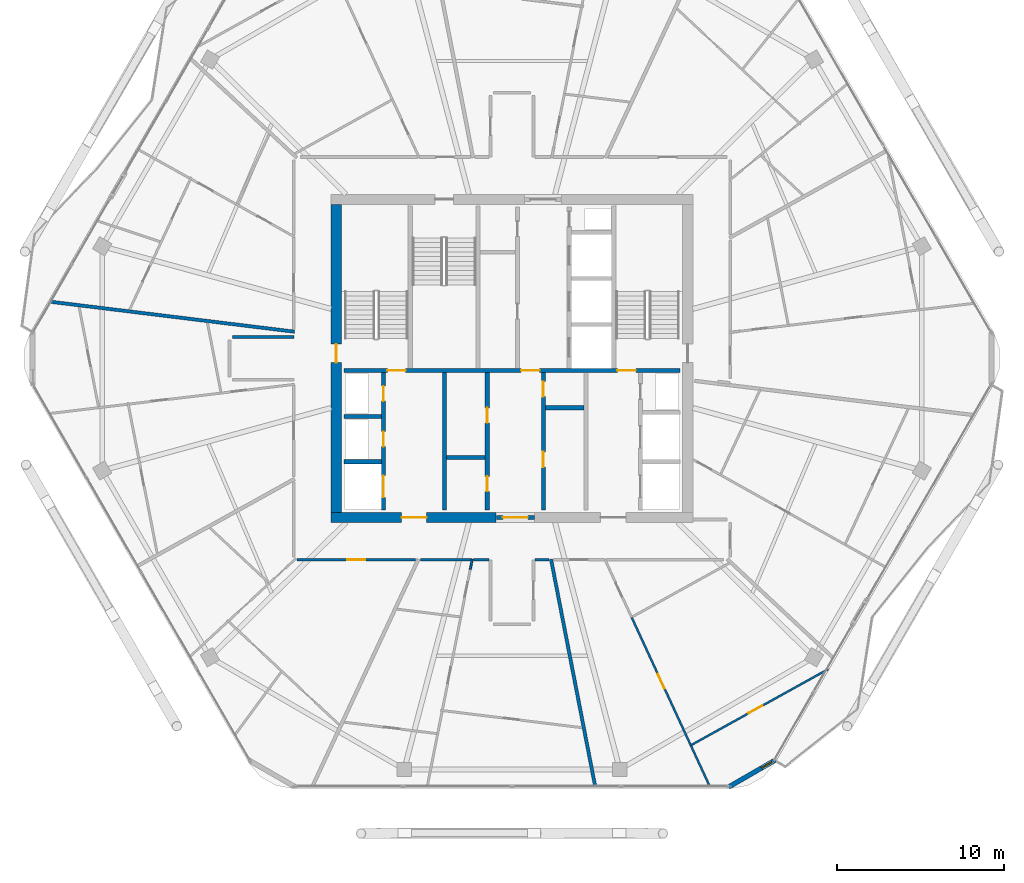
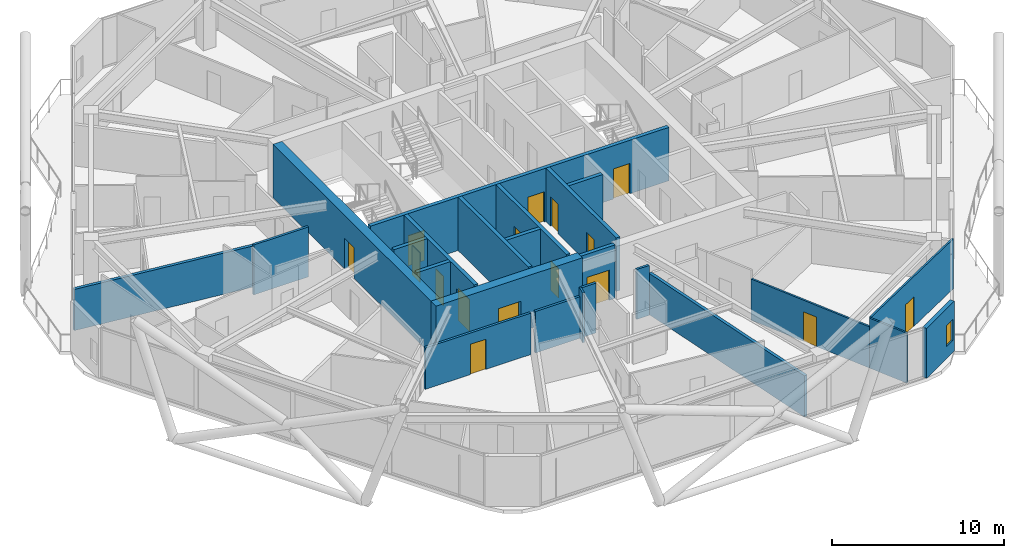
# One storey, part 21 of 29: 24 walls, 16 doors, 1 window, 17 openings.
"""IFC4 building model written with IfcOpenShell, lengths in metres."""

from ifc_helpers import new_model, si_unit, direction, frame, frame_2d, origin, place, context, subcontext, project, spatial, rectangle, extrude, material, layer, layer_set, type_object, element, fill, save


model = new_model("IFC4")

# Units and contexts
model_context = context("Model", 3, precision=1e-05, world=origin(), true_north=direction((0.0, 1.0)))
body_context = subcontext(model_context, "Body", "Model", "MODEL_VIEW")
ifc_project = project(units=[si_unit("LENGTHUNIT", "METRE"), si_unit("AREAUNIT", "SQUARE_METRE"), si_unit("VOLUMEUNIT", "CUBIC_METRE"), si_unit("PLANEANGLEUNIT", "RADIAN"), si_unit("MASSUNIT", "GRAM", prefix="KILO")], contexts=[model_context])

# Site, building, storey
site_placement = place(None, origin())
site = spatial("IfcSite", under=ifc_project, at=site_placement, CompositionType="ELEMENT")
building_placement = place(site_placement, origin())
building = spatial("IfcBuilding", under=site, at=building_placement, Name="Zuhravey Tower", CompositionType="ELEMENT")
storey_placement = place(building_placement, frame((0.0, 0.0, 269.199951171875)))
storey = spatial("IfcBuildingStorey", under=building, at=storey_placement, Name="L68", CompositionType="ELEMENT", Elevation=269.199951171875)

# Wall, opening, door
ifc_material_1 = material(Name="Concrete C50/60", Category="concrete")
ifc_layer_1 = layer(ifc_material_1, 0.60009765625)
ifc_layer_set_1 = layer_set([ifc_layer_1], Name="Concrete C50/60")
wall_type_1 = type_object("IfcWallType", Name="Core Shear Wall 600", PredefinedType="SHEAR", material=ifc_layer_set_1)
wall_1_placement = place(storey_placement, frame((25.199951171875, 22.5, 0.0), z_axis=(0.0, 0.0, 1.0), x_axis=(1.0, 0.0, 0.0)))
wall_1 = element("IfcWall", 1, at=wall_1_placement, inside=storey, type_object=wall_type_1, Name="L68 South-West Core Shear Wall CW60", PredefinedType="SHEAR", context=body_context, shape_type="SweptSolid", body=[
    extrude(rectangle(XDim=9.85009765625, YDim=0.60009765625, at=frame_2d((4.925048828125, 0.0))), origin(), (0.0, 0.0, 1.0), 3.800048828125),
])
opening_1_placement = place(wall_1_placement, frame((4.199951171875, 0.0, 0.0)))
opening_1 = element("IfcOpeningElement", 2, at=opening_1_placement, cuts=wall_1, Name="Opening FFD1", PredefinedType="OPENING", context=body_context, shape_type="SweptSolid", body=[
    extrude(rectangle(XDim=1.5, YDim=2.14990234375, at=frame_2d((0.75, 1.074951171875))), frame((0.0, 0.31201171875, 0.0), z_axis=(0.0, -1.0, 0.0), x_axis=(1.0, 0.0, 0.0)), (0.0, 0.0, 1.0), 0.6240234375),
])
ifc_material_2 = material(Name="Galvanised fire-rated steel leaf", Category="steel")
door_type_1 = type_object("IfcDoorType", Name="Firefighting Lobby Double Door 1500x2150", OperationType="DOUBLE_DOOR_SINGLE_SWING", PredefinedType="DOOR", material=ifc_material_2)
door_1_placement = place(opening_1_placement, origin())
door_1 = element("IfcDoor", 3, at=door_1_placement, inside=storey, type_object=door_type_1, Name="L68 Firefighting Lobby West Door", OperationType="DOUBLE_DOOR_SINGLE_SWING", OverallHeight=2.14990234375, OverallWidth=1.5, PredefinedType="DOOR", context=body_context, shape_type="SweptSolid", body=[
    extrude(rectangle(XDim=1.5, YDim=2.14990234375, at=frame_2d((0.75, 1.074951171875))), frame((0.0, 0.02490234375, 0.0), z_axis=(0.0, -1.0, 0.0), x_axis=(1.0, 0.0, 0.0)), (0.0, 0.0, 1.0), 0.050048828125),
])
fill(opening_1, door_1)

wall_2_placement = place(storey_placement, frame((25.5, 22.800048828125, 0.0), z_axis=(0.0, 0.0, 1.0), x_axis=(0.0, 1.0, 0.0)))
wall_2 = element("IfcWall", 4, at=wall_2_placement, inside=storey, type_object=wall_type_1, Name="L68 West Core Shear Wall CW60", PredefinedType="SHEAR", context=body_context, shape_type="SweptSolid", body=[
    extrude(rectangle(XDim=18.39990234375, YDim=0.60009765625, at=frame_2d((9.199951171875, 0.0))), origin(), (0.0, 0.0, 1.0), 3.800048828125),
])
opening_2_placement = place(wall_2_placement, frame((8.949951171875, 0.0, 0.0)))
opening_2 = element("IfcOpeningElement", 5, at=opening_2_placement, cuts=wall_2, Name="Opening STD1", PredefinedType="OPENING", context=body_context, shape_type="SweptSolid", body=[
    extrude(rectangle(XDim=1.10009765625, YDim=2.14990234375, at=frame_2d((0.550048828125, 1.074951171875))), frame((0.0, 0.31201171875, 0.0), z_axis=(0.0, -1.0, 0.0), x_axis=(1.0, 0.0, 0.0)), (0.0, 0.0, 1.0), 0.6240234375),
])
door_type_2 = type_object("IfcDoorType", Name="Protected Stair Fire Door 1100x2150", OperationType="NOTDEFINED", PredefinedType="USERDEFINED", material=ifc_material_2)
door_2_placement = place(opening_2_placement, frame((1.10009765625, 0.0, 0.0), z_axis=(0.0, 0.0, 1.0), x_axis=(-1.0, 0.0, 0.0)))
door_2 = element("IfcDoor", 6, at=door_2_placement, inside=storey, type_object=door_type_2, Name="L68 Stair ST1 Door", ObjectType="EXITDOOR", OperationType="SINGLE_SWING_RIGHT", OverallHeight=2.14990234375, OverallWidth=1.10009765625, PredefinedType="USERDEFINED", context=body_context, shape_type="SweptSolid", body=[
    extrude(rectangle(XDim=1.10009765625, YDim=2.14990234375, at=frame_2d((0.550048828125, 1.074951171875))), frame((0.0, 0.02490234375, 0.0), z_axis=(0.0, -1.0, 0.0), x_axis=(1.0, 0.0, 0.0)), (0.0, 0.0, 1.0), 0.050048828125),
])
fill(opening_2, door_2)

ifc_material_3 = material(Name="Gypsum fire-rated stud partition")
ifc_layer_2 = layer(ifc_material_3, 0.159912109375)
ifc_layer_set_2 = layer_set([ifc_layer_2], Name="Gypsum fire-rated stud partition")
wall_type_2 = type_object("IfcWallType", Name="Corridor Fire Partition 160", PredefinedType="PARTITIONING", material=ifc_layer_set_2)
wall_3_placement = place(storey_placement, frame((23.14990234375, 19.969970703125, 0.0), z_axis=(0.0, 0.0, 1.0), x_axis=(1.0, 0.0, 0.0)))
wall_3 = element("IfcWall", 7, at=wall_3_placement, inside=storey, type_object=wall_type_2, Name="L68 IW16 Partition 036", PredefinedType="PARTITIONING", context=body_context, shape_type="SweptSolid", body=[
    extrude(rectangle(XDim=7.08984375, YDim=0.159912109375, at=frame_2d((3.544921875, 0.0))), origin(), (0.0, 0.0, 1.0), 2.949951171875),
])
opening_3_placement = place(wall_3_placement, frame((3.02001953125, 0.0, 0.0)))
opening_3 = element("IfcOpeningElement", 8, at=opening_3_placement, cuts=wall_3, Name="Opening APD1", PredefinedType="OPENING", context=body_context, shape_type="SweptSolid", body=[
    extrude(rectangle(XDim=1.050048828125, YDim=2.14990234375, at=frame_2d((0.52490234375, 1.074951171875))), frame((0.0, 0.092041015625, 0.0), z_axis=(0.0, -1.0, 0.0), x_axis=(1.0, 0.0, 0.0)), (0.0, 0.0, 1.0), 0.183837890625),
])
ifc_material_4 = material(Name="Solid-core oak fire-rated leaf")
door_type_3 = type_object("IfcDoorType", Name="Apartment Entrance Fire Door 1050x2150", OperationType="NOTDEFINED", PredefinedType="DOOR", material=ifc_material_4)
door_3_placement = place(opening_3_placement, frame((1.050048828125, 0.0, 0.0), z_axis=(0.0, 0.0, 1.0), x_axis=(-1.0, 0.0, 0.0)))
door_3 = element("IfcDoor", 9, at=door_3_placement, inside=storey, type_object=door_type_3, Name="L68 Door 036.1", OperationType="SINGLE_SWING_RIGHT", OverallHeight=2.14990234375, OverallWidth=1.050048828125, PredefinedType="DOOR", context=body_context, shape_type="SweptSolid", body=[
    extrude(rectangle(XDim=1.050048828125, YDim=2.14990234375, at=frame_2d((0.52490234375, 1.074951171875))), frame((0.0, 0.02490234375, 0.0), z_axis=(0.0, -1.0, 0.0), x_axis=(1.0, 0.0, 0.0)), (0.0, 0.0, 1.0), 0.050048828125),
])
fill(opening_3, door_3)

# Walls
wall_4_placement = place(storey_placement, frame((22.969970703125, 33.280029296875, 0.0), z_axis=(0.0, 0.0, 1.0), x_axis=(-1.0, 0.0, 0.0)))
element("IfcWall", 10, at=wall_4_placement, inside=storey, type_object=wall_type_2, Name="L68 IW16 Partition 114", PredefinedType="PARTITIONING", context=body_context, shape_type="SweptSolid", body=[
    extrude(rectangle(XDim=3.669921875, YDim=0.159912109375, at=frame_2d((1.8349609375, 0.0))), origin(), (0.0, 0.0, 1.0), 3.550048828125),
])
wall_5_placement = place(storey_placement, frame((33.687255859375, 19.969970703125, 0.0), z_axis=(0.0, 0.0, 1.0), x_axis=(1.0, 0.0, 0.0)))
element("IfcWall", 11, at=wall_5_placement, inside=storey, type_object=wall_type_2, Name="L68 IW16 Partition 120", PredefinedType="PARTITIONING", context=body_context, shape_type="SweptSolid", body=[
    extrude(rectangle(XDim=0.94482421875, YDim=0.159912109375, at=frame_2d((0.472412109375, 0.0))), origin(), (0.0, 0.0, 1.0), 3.550048828125),
])
wall_6_placement = place(storey_placement, frame((37.367919921875, 19.969970703125, 0.0), z_axis=(0.0, 0.0, 1.0), x_axis=(1.0, 0.0, 0.0)))
element("IfcWall", 12, at=wall_6_placement, inside=storey, type_object=wall_type_2, Name="L68 IW16 Partition 121", PredefinedType="PARTITIONING", context=body_context, shape_type="SweptSolid", body=[
    extrude(rectangle(XDim=0.84130859375, YDim=0.159912109375, at=frame_2d((0.420654296875, 0.0))), origin(), (0.0, 0.0, 1.0), 3.550048828125),
])
wall_7_placement = place(storey_placement, frame((30.53955078125, 19.969970703125, 0.0), z_axis=(0.0, 0.0, 1.0), x_axis=(1.0, 0.0, 0.0)))
element("IfcWall", 13, at=wall_7_placement, inside=storey, type_object=wall_type_2, Name="L68 IW16 Partition 122", PredefinedType="PARTITIONING", context=body_context, shape_type="SweptSolid", body=[
    extrude(rectangle(XDim=3.009033203125, YDim=0.159912109375, at=frame_2d((1.50439453125, 0.0))), origin(), (0.0, 0.0, 1.0), 2.949951171875),
])

# Wall, opening, window
ifc_material_5 = material(Name="Precast concrete C40/50", Category="concrete")
ifc_layer_3 = layer(ifc_material_5, 0.280029296875)
ifc_layer_set_3 = layer_set([ifc_layer_3], Name="Precast concrete C40/50")
wall_type_3 = type_object("IfcWallType", Name="Crown Architectural Wall 280", PredefinedType="SOLIDWALL", material=ifc_layer_set_3)
wall_8_placement = place(storey_placement, frame((51.714599609375, 7.996337890625, 0.0), z_axis=(0.0, 0.0, 1.0), x_axis=(-0.866028773314, -0.499994163758, 0.0)))
wall_8 = element("IfcWall", 14, at=wall_8_placement, inside=storey, type_object=wall_type_3, Name="L68 Rounded Corner Closure Wall EW28-02", PredefinedType="SOLIDWALL", context=body_context, shape_type="SweptSolid", body=[
    extrude(rectangle(XDim=3.21484375, YDim=0.280029296875, at=frame_2d((1.607421875, 0.0))), origin(), (0.0, 0.0, 1.0), 3.550048828125),
])
opening_4_placement = place(wall_8_placement, frame((0.17578125, 0.0, 0.85009765625)))
opening_4 = element("IfcOpeningElement", 15, at=opening_4_placement, cuts=wall_8, Name="Opening WN5", PredefinedType="OPENING", context=body_context, shape_type="SweptSolid", body=[
    extrude(rectangle(XDim=0.75, YDim=1.5, at=frame_2d((0.375, 0.75))), frame((0.0, 0.152099609375, 0.0), z_axis=(0.0, -1.0, 0.0), x_axis=(1.0, 0.0, 0.0)), (0.0, 0.0, 1.0), 0.303955078125),
])
ifc_material_6 = material(Name="Thermally broken aluminium and triple low-E glass", Category="aluminium")
window_type = type_object("IfcWindowType", Name="Residential Corner Casement Window 750x1500", PartitioningType="SINGLE_PANEL", PredefinedType="WINDOW", material=ifc_material_6)
window_placement = place(opening_4_placement, origin())
window = element("IfcWindow", 16, at=window_placement, inside=storey, type_object=window_type, Name="L68 Corner Casement Window WN5-02.1", OverallHeight=1.5, OverallWidth=0.75, PartitioningType="SINGLE_PANEL", PredefinedType="WINDOW", context=body_context, shape_type="SweptSolid", body=[
    extrude(rectangle(XDim=0.75, YDim=1.5, at=frame_2d((0.375, 0.75))), frame((0.0, 0.030029296875, 0.0), z_axis=(0.0, -1.0, 0.0), x_axis=(1.0, 0.0, 0.0)), (0.0, 0.0, 1.0), 0.06005859375),
])
fill(opening_4, window)

# Wall, opening, door
ifc_layer_4 = layer(ifc_material_1, 0.25)
ifc_layer_set_4 = layer_set([ifc_layer_4], Name="Concrete C50/60")
wall_type_4 = type_object("IfcWallType", Name="Firefighting Shaft & Stair Wall 250", PredefinedType="SOLIDWALL", material=ifc_layer_set_4)
wall_9_placement = place(storey_placement, frame((35.06005859375, 22.5, 0.0), z_axis=(0.0, 0.0, 1.0), x_axis=(1.0, 0.0, 0.0)))
wall_9 = element("IfcWall", 17, at=wall_9_placement, inside=storey, type_object=wall_type_4, Name="L68 FW25 Shaft Wall 001", PredefinedType="SOLIDWALL", context=body_context, shape_type="SweptSolid", body=[
    extrude(rectangle(XDim=2.280029296875, YDim=0.25, at=frame_2d((1.14013671875, 0.0))), origin(), (0.0, 0.0, 1.0), 3.800048828125),
])
opening_5_placement = place(wall_9_placement, frame((0.389892578125, 0.0, 0.0)))
opening_5 = element("IfcOpeningElement", 18, at=opening_5_placement, cuts=wall_9, Name="Opening FFD1", PredefinedType="OPENING", context=body_context, shape_type="SweptSolid", body=[
    extrude(rectangle(XDim=1.5, YDim=2.14990234375, at=frame_2d((0.75, 1.074951171875))), frame((0.0, 0.136962890625, 0.0), z_axis=(0.0, -1.0, 0.0), x_axis=(1.0, 0.0, 0.0)), (0.0, 0.0, 1.0), 0.27392578125),
])
door_4_placement = place(opening_5_placement, frame((1.5, 0.0, 0.0), z_axis=(0.0, 0.0, 1.0), x_axis=(-1.0, 0.0, 0.0)))
door_4 = element("IfcDoor", 19, at=door_4_placement, inside=storey, type_object=door_type_1, Name="L68 South Lift Lobby Exit Door", OperationType="DOUBLE_DOOR_SINGLE_SWING", OverallHeight=2.14990234375, OverallWidth=1.5, PredefinedType="DOOR", context=body_context, shape_type="SweptSolid", body=[
    extrude(rectangle(XDim=1.5, YDim=2.14990234375, at=frame_2d((0.75, 1.074951171875))), frame((0.0, 0.02490234375, 0.0), z_axis=(0.0, -1.0, 0.0), x_axis=(1.0, 0.0, 0.0)), (0.0, 0.0, 1.0), 0.050048828125),
])
fill(opening_5, door_4)

# Wall, openings, doors
wall_10_placement = place(storey_placement, frame((25.949951171875, 31.27490234375, 0.0), z_axis=(0.0, 0.0, 1.0), x_axis=(1.0, 0.0, 0.0)))
wall_10 = element("IfcWall", 20, at=wall_10_placement, inside=storey, type_object=wall_type_4, Name="L68 FW25 Shaft Wall 003", PredefinedType="SOLIDWALL", context=body_context, shape_type="SweptSolid", body=[
    extrude(rectangle(XDim=20.10009765625, YDim=0.25, at=frame_2d((10.050048828125, 0.0))), origin(), (0.0, 0.0, 1.0), 3.800048828125),
])
opening_6_placement = place(wall_10_placement, frame((2.60009765625, 0.0, 0.0)))
opening_6 = element("IfcOpeningElement", 21, at=opening_6_placement, cuts=wall_10, Name="Opening STD1", PredefinedType="OPENING", context=body_context, shape_type="SweptSolid", body=[
    extrude(rectangle(XDim=1.10009765625, YDim=2.14990234375, at=frame_2d((0.550048828125, 1.074951171875))), frame((0.0, 0.136962890625, 0.0), z_axis=(0.0, -1.0, 0.0), x_axis=(1.0, 0.0, 0.0)), (0.0, 0.0, 1.0), 0.27392578125),
])
opening_7_placement = place(wall_10_placement, frame((10.60009765625, 0.0, 0.0)))
opening_7 = element("IfcOpeningElement", 22, at=opening_7_placement, cuts=wall_10, Name="Opening STD1", PredefinedType="OPENING", context=body_context, shape_type="SweptSolid", body=[
    extrude(rectangle(XDim=1.10009765625, YDim=2.14990234375, at=frame_2d((0.550048828125, 1.074951171875))), frame((0.0, 0.136962890625, 0.0), z_axis=(0.0, -1.0, 0.0), x_axis=(1.0, 0.0, 0.0)), (0.0, 0.0, 1.0), 0.27392578125),
])
opening_8_placement = place(wall_10_placement, frame((16.35009765625, 0.0, 0.0)))
opening_8 = element("IfcOpeningElement", 23, at=opening_8_placement, cuts=wall_10, Name="Opening STD1", PredefinedType="OPENING", context=body_context, shape_type="SweptSolid", body=[
    extrude(rectangle(XDim=1.10009765625, YDim=2.14990234375, at=frame_2d((0.550048828125, 1.074951171875))), frame((0.0, 0.136962890625, 0.0), z_axis=(0.0, -1.0, 0.0), x_axis=(1.0, 0.0, 0.0)), (0.0, 0.0, 1.0), 0.27392578125),
])
door_5_placement = place(opening_6_placement, origin())
door_5 = element("IfcDoor", 24, at=door_5_placement, inside=storey, type_object=door_type_2, Name="L68 FFL-W to ST1 Door", ObjectType="EXITDOOR", OperationType="SINGLE_SWING_LEFT", OverallHeight=2.14990234375, OverallWidth=1.10009765625, PredefinedType="USERDEFINED", context=body_context, shape_type="SweptSolid", body=[
    extrude(rectangle(XDim=1.10009765625, YDim=2.14990234375, at=frame_2d((0.550048828125, 1.074951171875))), frame((0.0, 0.02490234375, 0.0), z_axis=(0.0, -1.0, 0.0), x_axis=(1.0, 0.0, 0.0)), (0.0, 0.0, 1.0), 0.050048828125),
])
fill(opening_6, door_5)
door_6_placement = place(opening_7_placement, origin())
door_6 = element("IfcDoor", 25, at=door_6_placement, inside=storey, type_object=door_type_2, Name="L68 Core Lobby Link Door", ObjectType="EXITDOOR", OperationType="SINGLE_SWING_RIGHT", OverallHeight=2.14990234375, OverallWidth=1.10009765625, PredefinedType="USERDEFINED", context=body_context, shape_type="SweptSolid", body=[
    extrude(rectangle(XDim=1.10009765625, YDim=2.14990234375, at=frame_2d((0.550048828125, 1.074951171875))), frame((0.0, 0.02490234375, 0.0), z_axis=(0.0, -1.0, 0.0), x_axis=(1.0, 0.0, 0.0)), (0.0, 0.0, 1.0), 0.050048828125),
])
fill(opening_7, door_6)
door_7_placement = place(opening_8_placement, origin())
door_7 = element("IfcDoor", 26, at=door_7_placement, inside=storey, type_object=door_type_2, Name="L68 FFL-E to ST2 Door", ObjectType="EXITDOOR", OperationType="SINGLE_SWING_LEFT", OverallHeight=2.14990234375, OverallWidth=1.10009765625, PredefinedType="USERDEFINED", context=body_context, shape_type="SweptSolid", body=[
    extrude(rectangle(XDim=1.10009765625, YDim=2.14990234375, at=frame_2d((0.550048828125, 1.074951171875))), frame((0.0, 0.02490234375, 0.0), z_axis=(0.0, -1.0, 0.0), x_axis=(1.0, 0.0, 0.0)), (0.0, 0.0, 1.0), 0.050048828125),
])
fill(opening_8, door_7)

# Walls
for number, where, z_axis, x_axis, name in (
    (27, (25.949951171875, 25.824951171875, 0.0), (0.0, 0.0, 1.0), (1.0, 0.0, 0.0), "L68 FW25 Shaft Wall 009"),
    (28, (25.949951171875, 28.52490234375, 0.0), (0.0, 0.0, 1.0), (1.0, 0.0, 0.0), "L68 FW25 Shaft Wall 010"),
):
    element("IfcWall", number, at=place(storey_placement, frame(where, z_axis=z_axis, x_axis=x_axis)), inside=storey, type_object=wall_type_4, Name=name, PredefinedType="SOLIDWALL", context=body_context, shape_type="SweptSolid", body=[
        extrude(rectangle(XDim=2.25, YDim=0.25, at=frame_2d((1.125, 0.0))), origin(), (0.0, 0.0, 1.0), 3.800048828125),
    ])

# Wall, openings, doors
wall_11_placement = place(storey_placement, frame((28.324951171875, 22.949951171875, 0.0), z_axis=(0.0, 0.0, 1.0), x_axis=(0.0, 1.0, 0.0)))
wall_11 = element("IfcWall", 29, at=wall_11_placement, inside=storey, type_object=wall_type_4, Name="L68 FW25 Shaft Wall 011", PredefinedType="SOLIDWALL", context=body_context, shape_type="SweptSolid", body=[
    extrude(rectangle(XDim=8.199951171875, YDim=0.25, at=frame_2d((4.10009765625, 0.0))), origin(), (0.0, 0.0, 1.0), 3.800048828125),
])
opening_9_placement = place(wall_11_placement, frame((0.75, 0.0, 0.0)))
opening_9 = element("IfcOpeningElement", 30, at=opening_9_placement, cuts=wall_11, Name="Opening LD2", PredefinedType="OPENING", context=body_context, shape_type="SweptSolid", body=[
    extrude(rectangle(XDim=1.300048828125, YDim=2.300048828125, at=frame_2d((0.64990234375, 1.14990234375))), frame((0.0, 0.136962890625, 0.0), z_axis=(0.0, -1.0, 0.0), x_axis=(1.0, 0.0, 0.0)), (0.0, 0.0, 1.0), 0.27392578125),
])
opening_10_placement = place(wall_11_placement, frame((3.780029296875, 0.0, 0.0)))
opening_10 = element("IfcOpeningElement", 31, at=opening_10_placement, cuts=wall_11, Name="Opening RSD1", PredefinedType="OPENING", context=body_context, shape_type="SweptSolid", body=[
    extrude(rectangle(XDim=0.89990234375, YDim=2.10009765625, at=frame_2d((0.449951171875, 1.050048828125))), frame((0.0, 0.136962890625, 0.0), z_axis=(0.0, -1.0, 0.0), x_axis=(1.0, 0.0, 0.0)), (0.0, 0.0, 1.0), 0.27392578125),
])
opening_11_placement = place(wall_11_placement, frame((6.5, 0.0, 0.0)))
opening_11 = element("IfcOpeningElement", 32, at=opening_11_placement, cuts=wall_11, Name="Opening RSD1", PredefinedType="OPENING", context=body_context, shape_type="SweptSolid", body=[
    extrude(rectangle(XDim=0.89990234375, YDim=2.10009765625, at=frame_2d((0.449951171875, 1.050048828125))), frame((0.0, 0.136962890625, 0.0), z_axis=(0.0, -1.0, 0.0), x_axis=(1.0, 0.0, 0.0)), (0.0, 0.0, 1.0), 0.27392578125),
])
ifc_material_7 = material(Name="Brushed stainless steel", Category="steel")
door_type_4 = type_object("IfcDoorType", Name="Freight & Stretcher Lift Sliding Door 1300x2300", OperationType="DOUBLE_DOOR_SLIDING", PredefinedType="DOOR", material=ifc_material_7)
door_8_placement = place(opening_9_placement, frame((1.300048828125, 0.0, 0.0), z_axis=(0.0, 0.0, 1.0), x_axis=(-1.0, 0.0, 0.0)))
door_8 = element("IfcDoor", 33, at=door_8_placement, inside=storey, type_object=door_type_4, Name="L68 Lift FF1 Landing Door", OperationType="DOUBLE_DOOR_SLIDING", OverallHeight=2.300048828125, OverallWidth=1.300048828125, PredefinedType="DOOR", context=body_context, shape_type="SweptSolid", body=[
    extrude(rectangle(XDim=1.300048828125, YDim=2.300048828125, at=frame_2d((0.64990234375, 1.14990234375))), frame((0.0, 0.02490234375, 0.0), z_axis=(0.0, -1.0, 0.0), x_axis=(1.0, 0.0, 0.0)), (0.0, 0.0, 1.0), 0.050048828125),
])
fill(opening_9, door_8)
ifc_material_8 = material(Name="Galvanised fire-rated steel access leaf", Category="steel")
door_type_5 = type_object("IfcDoorType", Name="Riser & Shaft Access Fire Door 900x2100", OperationType="NOTDEFINED", PredefinedType="DOOR", material=ifc_material_8)
door_9_placement = place(opening_10_placement, frame((0.89990234375, 0.0, 0.0), z_axis=(0.0, 0.0, 1.0), x_axis=(-1.0, 0.0, 0.0)))
door_9 = element("IfcDoor", 34, at=door_9_placement, inside=storey, type_object=door_type_5, Name="L68 Electrical Riser Door", OperationType="SINGLE_SWING_LEFT", OverallHeight=2.10009765625, OverallWidth=0.89990234375, PredefinedType="DOOR", context=body_context, shape_type="SweptSolid", body=[
    extrude(rectangle(XDim=0.89990234375, YDim=2.10009765625, at=frame_2d((0.449951171875, 1.050048828125))), frame((0.0, 0.02490234375, 0.0), z_axis=(0.0, -1.0, 0.0), x_axis=(1.0, 0.0, 0.0)), (0.0, 0.0, 1.0), 0.050048828125),
])
fill(opening_10, door_9)
door_10_placement = place(opening_11_placement, frame((0.89990234375, 0.0, 0.0), z_axis=(0.0, 0.0, 1.0), x_axis=(-1.0, 0.0, 0.0)))
door_10 = element("IfcDoor", 35, at=door_10_placement, inside=storey, type_object=door_type_5, Name="L68 Smoke Shaft Access Door", OperationType="SINGLE_SWING_RIGHT", OverallHeight=2.10009765625, OverallWidth=0.89990234375, PredefinedType="DOOR", context=body_context, shape_type="SweptSolid", body=[
    extrude(rectangle(XDim=0.89990234375, YDim=2.10009765625, at=frame_2d((0.449951171875, 1.050048828125))), frame((0.0, 0.02490234375, 0.0), z_axis=(0.0, -1.0, 0.0), x_axis=(1.0, 0.0, 0.0)), (0.0, 0.0, 1.0), 0.050048828125),
])
fill(opening_11, door_10)

# Walls
wall_12_placement = place(storey_placement, frame((31.97509765625, 22.949951171875, 0.0), z_axis=(0.0, 0.0, 1.0), x_axis=(0.0, 1.0, 0.0)))
element("IfcWall", 36, at=wall_12_placement, inside=storey, type_object=wall_type_4, Name="L68 FW25 Shaft Wall 012", PredefinedType="SOLIDWALL", context=body_context, shape_type="SweptSolid", body=[
    extrude(rectangle(XDim=8.199951171875, YDim=0.25, at=frame_2d((4.10009765625, 0.0))), origin(), (0.0, 0.0, 1.0), 3.800048828125),
])
wall_13_placement = place(storey_placement, frame((32.10009765625, 26.074951171875, 0.0), z_axis=(0.0, 0.0, 1.0), x_axis=(1.0, 0.0, 0.0)))
element("IfcWall", 37, at=wall_13_placement, inside=storey, type_object=wall_type_4, Name="L68 FW25 Shaft Wall 013", PredefinedType="SOLIDWALL", context=body_context, shape_type="SweptSolid", body=[
    extrude(rectangle(XDim=2.2998046875, YDim=0.25, at=frame_2d((1.14990234375, 0.0))), origin(), (0.0, 0.0, 1.0), 3.800048828125),
])

# Wall, openings, doors
wall_14_placement = place(storey_placement, frame((34.52490234375, 22.949951171875, 0.0), z_axis=(0.0, 0.0, 1.0), x_axis=(0.0, 1.0, 0.0)))
wall_14 = element("IfcWall", 38, at=wall_14_placement, inside=storey, type_object=wall_type_4, Name="L68 FW25 Shaft Wall 014", PredefinedType="SOLIDWALL", context=body_context, shape_type="SweptSolid", body=[
    extrude(rectangle(XDim=8.199951171875, YDim=0.25, at=frame_2d((4.10009765625, 0.0))), origin(), (0.0, 0.0, 1.0), 3.800048828125),
])
opening_12_placement = place(wall_14_placement, frame((1.10009765625, 0.0, 0.0)))
opening_12 = element("IfcOpeningElement", 39, at=opening_12_placement, cuts=wall_14, Name="Opening RSD1", PredefinedType="OPENING", context=body_context, shape_type="SweptSolid", body=[
    extrude(rectangle(XDim=0.89990234375, YDim=2.10009765625, at=frame_2d((0.449951171875, 1.050048828125))), frame((0.0, 0.136962890625, 0.0), z_axis=(0.0, -1.0, 0.0), x_axis=(1.0, 0.0, 0.0)), (0.0, 0.0, 1.0), 0.27392578125),
])
opening_13_placement = place(wall_14_placement, frame((5.199951171875, 0.0, 0.0)))
opening_13 = element("IfcOpeningElement", 40, at=opening_13_placement, cuts=wall_14, Name="Opening RSD1", PredefinedType="OPENING", context=body_context, shape_type="SweptSolid", body=[
    extrude(rectangle(XDim=0.89990234375, YDim=2.10009765625, at=frame_2d((0.449951171875, 1.050048828125))), frame((0.0, 0.136962890625, 0.0), z_axis=(0.0, -1.0, 0.0), x_axis=(1.0, 0.0, 0.0)), (0.0, 0.0, 1.0), 0.27392578125),
])
door_11_placement = place(opening_12_placement, origin())
door_11 = element("IfcDoor", 41, at=door_11_placement, inside=storey, type_object=door_type_5, Name="L68 Metering Room Door", OperationType="SINGLE_SWING_LEFT", OverallHeight=2.10009765625, OverallWidth=0.89990234375, PredefinedType="DOOR", context=body_context, shape_type="SweptSolid", body=[
    extrude(rectangle(XDim=0.89990234375, YDim=2.10009765625, at=frame_2d((0.449951171875, 1.050048828125))), frame((0.0, 0.02490234375, 0.0), z_axis=(0.0, -1.0, 0.0), x_axis=(1.0, 0.0, 0.0)), (0.0, 0.0, 1.0), 0.050048828125),
])
fill(opening_12, door_11)
door_12_placement = place(opening_13_placement, origin())
door_12 = element("IfcDoor", 42, at=door_12_placement, inside=storey, type_object=door_type_5, Name="L68 Housekeeping Supply Door", OperationType="SINGLE_SWING_RIGHT", OverallHeight=2.10009765625, OverallWidth=0.89990234375, PredefinedType="DOOR", context=body_context, shape_type="SweptSolid", body=[
    extrude(rectangle(XDim=0.89990234375, YDim=2.10009765625, at=frame_2d((0.449951171875, 1.050048828125))), frame((0.0, 0.02490234375, 0.0), z_axis=(0.0, -1.0, 0.0), x_axis=(1.0, 0.0, 0.0)), (0.0, 0.0, 1.0), 0.050048828125),
])
fill(opening_13, door_12)

# Wall
wall_15_placement = place(storey_placement, frame((38.0, 29.050048828125, 0.0), z_axis=(0.0, 0.0, 1.0), x_axis=(1.0, 0.0, 0.0)))
element("IfcWall", 43, at=wall_15_placement, inside=storey, type_object=wall_type_4, Name="L68 FW25 Shaft Wall 015", PredefinedType="SOLIDWALL", context=body_context, shape_type="SweptSolid", body=[
    extrude(rectangle(XDim=2.300048828125, YDim=0.25, at=frame_2d((1.14990234375, 0.0))), origin(), (0.0, 0.0, 1.0), 3.800048828125),
])

# Wall, openings, doors
wall_16_placement = place(storey_placement, frame((37.875, 22.949951171875, 0.0), z_axis=(0.0, 0.0, 1.0), x_axis=(0.0, 1.0, 0.0)))
wall_16 = element("IfcWall", 44, at=wall_16_placement, inside=storey, type_object=wall_type_4, Name="L68 FW25 Shaft Wall 016", PredefinedType="SOLIDWALL", context=body_context, shape_type="SweptSolid", body=[
    extrude(rectangle(XDim=8.199951171875, YDim=0.25, at=frame_2d((4.10009765625, 0.0))), origin(), (0.0, 0.0, 1.0), 3.800048828125),
])
opening_14_placement = place(wall_16_placement, frame((2.5625, 0.0, 0.0)))
opening_14 = element("IfcOpeningElement", 45, at=opening_14_placement, cuts=wall_16, Name="Opening RSD1", PredefinedType="OPENING", context=body_context, shape_type="SweptSolid", body=[
    extrude(rectangle(XDim=0.89990234375, YDim=2.10009765625, at=frame_2d((0.449951171875, 1.050048828125))), frame((0.0, 0.136962890625, 0.0), z_axis=(0.0, -1.0, 0.0), x_axis=(1.0, 0.0, 0.0)), (0.0, 0.0, 1.0), 0.27392578125),
])
opening_15_placement = place(wall_16_placement, frame((6.762451171875, 0.0, 0.0)))
opening_15 = element("IfcOpeningElement", 46, at=opening_15_placement, cuts=wall_16, Name="Opening RSD1", PredefinedType="OPENING", context=body_context, shape_type="SweptSolid", body=[
    extrude(rectangle(XDim=0.89990234375, YDim=2.10009765625, at=frame_2d((0.449951171875, 1.050048828125))), frame((0.0, 0.136962890625, 0.0), z_axis=(0.0, -1.0, 0.0), x_axis=(1.0, 0.0, 0.0)), (0.0, 0.0, 1.0), 0.27392578125),
])
door_13_placement = place(opening_14_placement, frame((0.89990234375, 0.0, 0.0), z_axis=(0.0, 0.0, 1.0), x_axis=(-1.0, 0.0, 0.0)))
door_13 = element("IfcDoor", 47, at=door_13_placement, inside=storey, type_object=door_type_5, Name="L68 Trunk Store Door", OperationType="SINGLE_SWING_LEFT", OverallHeight=2.10009765625, OverallWidth=0.89990234375, PredefinedType="DOOR", context=body_context, shape_type="SweptSolid", body=[
    extrude(rectangle(XDim=0.89990234375, YDim=2.10009765625, at=frame_2d((0.449951171875, 1.050048828125))), frame((0.0, 0.02490234375, 0.0), z_axis=(0.0, -1.0, 0.0), x_axis=(1.0, 0.0, 0.0)), (0.0, 0.0, 1.0), 0.050048828125),
])
fill(opening_14, door_13)
door_14_placement = place(opening_15_placement, frame((0.89990234375, 0.0, 0.0), z_axis=(0.0, 0.0, 1.0), x_axis=(-1.0, 0.0, 0.0)))
door_14 = element("IfcDoor", 48, at=door_14_placement, inside=storey, type_object=door_type_5, Name="L68 Fiber Room Door", OperationType="SINGLE_SWING_RIGHT", OverallHeight=2.10009765625, OverallWidth=0.89990234375, PredefinedType="DOOR", context=body_context, shape_type="SweptSolid", body=[
    extrude(rectangle(XDim=0.89990234375, YDim=2.10009765625, at=frame_2d((0.449951171875, 1.050048828125))), frame((0.0, 0.02490234375, 0.0), z_axis=(0.0, -1.0, 0.0), x_axis=(1.0, 0.0, 0.0)), (0.0, 0.0, 1.0), 0.050048828125),
])
fill(opening_15, door_14)

# Walls
ifc_material_9 = material(Name="Gypsum double-stud party assembly")
ifc_layer_5 = layer(ifc_material_9, 0.199951171875)
ifc_layer_set_5 = layer_set([ifc_layer_5], Name="Gypsum double-stud party assembly")
wall_type_5 = type_object("IfcWallType", Name="Inter-Tenancy Party Wall 200", PredefinedType="PARTITIONING", material=ifc_layer_set_5)
wall_17_placement = place(storey_placement, frame((23.010009765625, 33.594970703125, 0.0), z_axis=(0.0, 0.0, 1.0), x_axis=(-0.992545643102, 0.121873485057, 0.0)))
element("IfcWall", 49, at=wall_17_placement, inside=storey, type_object=wall_type_5, Name="L68 IW20 Partition 078", PredefinedType="PARTITIONING", context=body_context, shape_type="SweptSolid", body=[
    extrude(rectangle(XDim=14.68359375, YDim=0.199951171875, at=frame_2d((7.341796875, 0.0))), origin(), (0.0, 0.0, 1.0), 2.929931640625),
])
wall_18_placement = place(storey_placement, frame((38.33056640625, 20.010009765625, 0.0), z_axis=(0.0, 0.0, 1.0), x_axis=(0.190806334077, -0.981627700748, 0.0)))
element("IfcWall", 50, at=wall_18_placement, inside=storey, type_object=wall_type_5, Name="L68 IW20 Partition 090", PredefinedType="PARTITIONING", context=body_context, shape_type="SweptSolid", body=[
    extrude(rectangle(XDim=13.827880859375, YDim=0.199951171875, at=frame_2d((6.9140625, 0.0))), origin(), (0.0, 0.0, 1.0), 2.929931640625),
])

# Wall, opening, door
ifc_material_10 = material(Name="Gypsum metal-stud partition")
ifc_layer_6 = layer(ifc_material_10, 0.1201171875)
ifc_layer_set_6 = layer_set([ifc_layer_6], Name="Gypsum metal-stud partition")
wall_type_6 = type_object("IfcWallType", Name="Unit Internal Partition 120", PredefinedType="PARTITIONING", material=ifc_layer_set_6)
wall_19_placement = place(storey_placement, frame((43.155029296875, 16.514892578125, 0.0), z_axis=(0.0, 0.0, 1.0), x_axis=(0.419453006553, -0.907777051535, 0.0)))
wall_19 = element("IfcWall", 51, at=wall_19_placement, inside=storey, type_object=wall_type_6, Name="L68 IW12 Partition 044", PredefinedType="PARTITIONING", context=body_context, shape_type="SweptSolid", body=[
    extrude(rectangle(XDim=8.4296875, YDim=0.1201171875, at=frame_2d((4.21484375, 0.0))), origin(), (0.0, 0.0, 1.0), 2.929931640625),
])
opening_16_placement = place(wall_19_placement, frame((3.71484375, 0.0, 0.0)))
opening_16 = element("IfcOpeningElement", 52, at=opening_16_placement, cuts=wall_19, Name="Opening IND1", PredefinedType="OPENING", context=body_context, shape_type="SweptSolid", body=[
    extrude(rectangle(XDim=0.949951171875, YDim=2.10009765625, at=frame_2d((0.47509765625, 1.050048828125))), frame((0.0, 0.072021484375, 0.0), z_axis=(0.0, -1.0, 0.0), x_axis=(1.0, 0.0, 0.0)), (0.0, 0.0, 1.0), 0.14404296875),
])
ifc_material_11 = material(Name="Painted engineered timber leaf", Category="wood")
door_type_6 = type_object("IfcDoorType", Name="Internal Room & Bedroom Door 950x2100", OperationType="NOTDEFINED", PredefinedType="DOOR", material=ifc_material_11)
door_15_placement = place(opening_16_placement, origin())
door_15 = element("IfcDoor", 53, at=door_15_placement, inside=storey, type_object=door_type_6, Name="Apartment L68-05 Home Office Door", OperationType="SINGLE_SWING_LEFT", OverallHeight=2.10009765625, OverallWidth=0.949951171875, PredefinedType="DOOR", context=body_context, shape_type="SweptSolid", body=[
    extrude(rectangle(XDim=0.949951171875, YDim=2.10009765625, at=frame_2d((0.47509765625, 1.050048828125))), frame((0.0, 0.02490234375, 0.0), z_axis=(0.0, -1.0, 0.0), x_axis=(1.0, 0.0, 0.0)), (0.0, 0.0, 1.0), 0.050048828125),
])
fill(opening_16, door_15)

wall_20_placement = place(storey_placement, frame((46.739990234375, 8.918212890625, 0.0), z_axis=(0.0, 0.0, 1.0), x_axis=(0.874617638419, 0.484813352298, 0.0)))
wall_20 = element("IfcWall", 54, at=wall_20_placement, inside=storey, type_object=wall_type_6, Name="L68 IW12 Partition 045", PredefinedType="PARTITIONING", context=body_context, shape_type="SweptSolid", body=[
    extrude(rectangle(XDim=9.32275390625, YDim=0.1201171875, at=frame_2d((4.661376953125, 0.0))), origin(), (0.0, 0.0, 1.0), 3.550048828125),
])
opening_17_placement = place(wall_20_placement, frame((3.882080078125, 0.0, 0.0)))
opening_17 = element("IfcOpeningElement", 55, at=opening_17_placement, cuts=wall_20, Name="Opening IND1", PredefinedType="OPENING", context=body_context, shape_type="SweptSolid", body=[
    extrude(rectangle(XDim=0.949951171875, YDim=2.10009765625, at=frame_2d((0.47509765625, 1.050048828125))), frame((0.0, 0.072021484375, 0.0), z_axis=(0.0, -1.0, 0.0), x_axis=(1.0, 0.0, 0.0)), (0.0, 0.0, 1.0), 0.14404296875),
])
door_16_placement = place(opening_17_placement, frame((0.949951171875, 0.0, 0.0), z_axis=(0.0, 0.0, 1.0), x_axis=(-1.0, 0.0, 0.0)))
door_16 = element("IfcDoor", 56, at=door_16_placement, inside=storey, type_object=door_type_6, Name="Apartment L68-05 Bedroom 1 Door", OperationType="SINGLE_SWING_RIGHT", OverallHeight=2.10009765625, OverallWidth=0.949951171875, PredefinedType="DOOR", context=body_context, shape_type="SweptSolid", body=[
    extrude(rectangle(XDim=0.949951171875, YDim=2.10009765625, at=frame_2d((0.47509765625, 1.050048828125))), frame((0.0, 0.02490234375, 0.0), z_axis=(0.0, -1.0, 0.0), x_axis=(1.0, 0.0, 0.0)), (0.0, 0.0, 1.0), 0.050048828125),
])
fill(opening_17, door_16)

# Walls
wall_21_placement = place(storey_placement, frame((33.626708984375, 20.014404296875, 0.0), z_axis=(0.0, 0.0, 1.0), x_axis=(-0.194092051537, -0.98098332072, 0.0)))
element("IfcWall", 57, at=wall_21_placement, inside=storey, type_object=wall_type_6, Name="L68 IW12 Partition 087", PredefinedType="PARTITIONING", context=body_context, shape_type="SweptSolid", body=[
    extrude(rectangle(XDim=0.62646484375, YDim=0.1201171875, at=frame_2d((0.313232421875, 0.0))), origin(), (0.0, 0.0, 1.0), 3.550048828125),
])
wall_22_placement = place(storey_placement, frame((46.69091796875, 8.862548828125, 0.0), z_axis=(0.0, 0.0, 1.0), x_axis=(0.419509024285, -0.907751165542, 0.0)))
element("IfcWall", 58, at=wall_22_placement, inside=storey, type_object=wall_type_6, Name="L68 IW12 Partition 092", PredefinedType="PARTITIONING", context=body_context, shape_type="SweptSolid", body=[
    extrude(rectangle(XDim=2.67822265625, YDim=0.1201171875, at=frame_2d((1.339111328125, 0.0))), origin(), (0.0, 0.0, 1.0), 3.550048828125),
])

save(model, "model.ifc")
